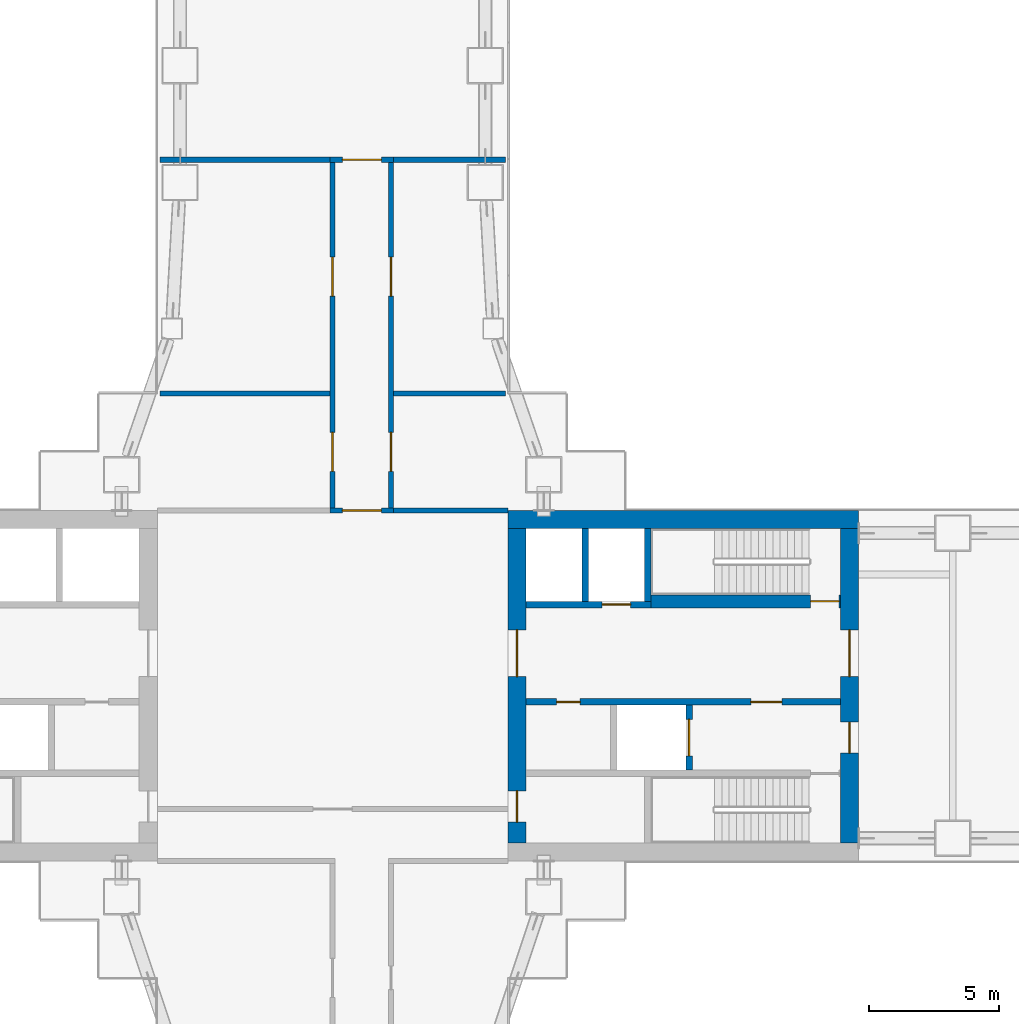
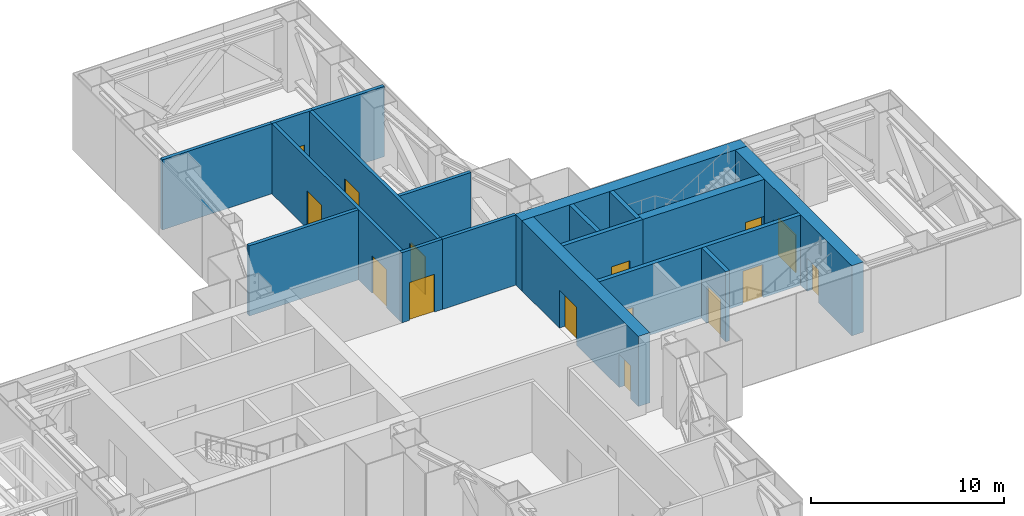
# One storey, part 14 of 23: 18 walls, 15 doors, 15 openings.
"""IFC4 building model written with IfcOpenShell, lengths in metres."""

from ifc_helpers import new_model, si_unit, direction, frame, frame_2d, origin, place, context, subcontext, project, spatial, rectangle, extrude, material, layer, layer_set, type_object, element, fill, save


model = new_model("IFC4")

# Units and contexts
model_context = context("Model", 3, precision=1e-05, world=origin(), true_north=direction((0.0, 1.0)))
body_context = subcontext(model_context, "Body", "Model", "MODEL_VIEW")
ifc_project = project(units=[si_unit("LENGTHUNIT", "METRE"), si_unit("AREAUNIT", "SQUARE_METRE"), si_unit("VOLUMEUNIT", "CUBIC_METRE"), si_unit("PLANEANGLEUNIT", "RADIAN"), si_unit("MASSUNIT", "GRAM", prefix="KILO")], contexts=[model_context])

# Site, building, storey
site_placement = place(None, origin())
site = spatial("IfcSite", under=ifc_project, at=site_placement, CompositionType="ELEMENT")
building_placement = place(site_placement, origin())
building = spatial("IfcBuilding", under=site, at=building_placement, Name="Shamsa Quay Exchange Towers", CompositionType="ELEMENT")
storey_placement = place(building_placement, frame((0.0, 0.0, 77.10009765625)))
storey = spatial("IfcBuildingStorey", under=building, at=storey_placement, Name="L17", CompositionType="ELEMENT", Elevation=77.10009765625)

# Wall
ifc_material_1 = material(Name="Concrete C80/95", Category="concrete")
ifc_layer_1 = layer(ifc_material_1, 0.699951171875)
ifc_layer_set_1 = layer_set([ifc_layer_1], Name="CORE WALL 700 C80/95")
wall_type_1 = type_object("IfcWallType", Name="CORE WALL 700 C80/95", PredefinedType="SHEAR", material=ifc_layer_set_1)
wall_1_placement = place(storey_placement, frame((54.0, 6.39990234375, 0.0), z_axis=(0.0, 0.0, 1.0), x_axis=(-1.0, 0.0, 0.0)))
element("IfcWall", 1, at=wall_1_placement, inside=storey, type_object=wall_type_1, Name="Core wall T2B-L17-PN", PredefinedType="SHEAR", context=body_context, shape_type="SweptSolid", body=[
    extrude(rectangle(XDim=13.5, YDim=0.699951171875, at=frame_2d((6.75, 0.0))), origin(), (0.0, 0.0, 1.0), 4.449951171875),
])

# Wall, openings, doors
wall_2_placement = place(storey_placement, frame((53.64990234375, -6.050048828125, 0.0), z_axis=(0.0, 0.0, 1.0), x_axis=(0.0, 1.0, 0.0)))
wall_2 = element("IfcWall", 2, at=wall_2_placement, inside=storey, type_object=wall_type_1, Name="Core wall T2B-L17-PF", PredefinedType="SHEAR", context=body_context, shape_type="SweptSolid", body=[
    extrude(rectangle(XDim=12.10009765625, YDim=0.699951171875, at=frame_2d((6.050048828125, 0.0))), origin(), (0.0, 0.0, 1.0), 4.449951171875),
])
opening_1_placement = place(wall_2_placement, frame((3.449951171875, 0.0, 0.0)))
opening_1 = element("IfcOpeningElement", 3, at=opening_1_placement, cuts=wall_2, Name="Opening T2B-L17-FD01", PredefinedType="OPENING", context=body_context, shape_type="SweptSolid", body=[
    extrude(rectangle(XDim=1.199951171875, YDim=2.10009765625, at=frame_2d((0.60009765625, 1.050048828125))), frame((0.0, 0.35986328125, 0.0), z_axis=(0.0, -1.0, 0.0), x_axis=(1.0, 0.0, 0.0)), (0.0, 0.0, 1.0), 0.719970703125),
])
opening_2_placement = place(wall_2_placement, frame((6.39990234375, 0.0, 0.0)))
opening_2 = element("IfcOpeningElement", 4, at=opening_2_placement, cuts=wall_2, Name="Opening T2B-L17-LBD02", PredefinedType="OPENING", context=body_context, shape_type="SweptSolid", body=[
    extrude(rectangle(XDim=1.800048828125, YDim=2.39990234375, at=frame_2d((0.89990234375, 1.199951171875))), frame((0.0, 0.35986328125, 0.0), z_axis=(0.0, -1.0, 0.0), x_axis=(1.0, 0.0, 0.0)), (0.0, 0.0, 1.0), 0.719970703125),
])
ifc_material_2 = material(Name="Steel, fire rated", Category="steel")
door_type_1 = type_object("IfcDoorType", Name="FIRE SERVICE LOBBY DOOR 1200", OperationType="SINGLE_SWING_LEFT", PredefinedType="DOOR", material=ifc_material_2)
door_1_placement = place(opening_1_placement, origin())
door_1 = element("IfcDoor", 5, at=door_1_placement, inside=storey, type_object=door_type_1, Name="T2B-L17-FD01", OperationType="SINGLE_SWING_LEFT", OverallHeight=2.10009765625, OverallWidth=1.199951171875, PredefinedType="DOOR", context=body_context, shape_type="SweptSolid", body=[
    extrude(rectangle(XDim=1.199951171875, YDim=2.10009765625, at=frame_2d((0.60009765625, 1.050048828125))), frame((0.0, 0.02490234375, 0.0), z_axis=(0.0, -1.0, 0.0), x_axis=(1.0, 0.0, 0.0)), (0.0, 0.0, 1.0), 0.050048828125),
])
fill(opening_1, door_1)
door_type_2 = type_object("IfcDoorType", Name="LIFT LOBBY DOOR PAIR 1800", OperationType="DOUBLE_DOOR_SINGLE_SWING", PredefinedType="DOOR", material=ifc_material_2)
door_2_placement = place(opening_2_placement, origin())
door_2 = element("IfcDoor", 6, at=door_2_placement, inside=storey, type_object=door_type_2, Name="T2B-L17-LBD02", OperationType="DOUBLE_DOOR_SINGLE_SWING", OverallHeight=2.39990234375, OverallWidth=1.800048828125, PredefinedType="DOOR", context=body_context, shape_type="SweptSolid", body=[
    extrude(rectangle(XDim=1.800048828125, YDim=2.39990234375, at=frame_2d((0.89990234375, 1.199951171875))), frame((0.0, 0.02490234375, 0.0), z_axis=(0.0, -1.0, 0.0), x_axis=(1.0, 0.0, 0.0)), (0.0, 0.0, 1.0), 0.050048828125),
])
fill(opening_2, door_2)

wall_3_placement = place(storey_placement, frame((40.85009765625, -6.050048828125, 0.0), z_axis=(0.0, 0.0, 1.0), x_axis=(0.0, 1.0, 0.0)))
wall_3 = element("IfcWall", 7, at=wall_3_placement, inside=storey, type_object=wall_type_1, Name="Core wall T2B-L17-PB", PredefinedType="SHEAR", context=body_context, shape_type="SweptSolid", body=[
    extrude(rectangle(XDim=12.10009765625, YDim=0.699951171875, at=frame_2d((6.050048828125, 0.0))), origin(), (0.0, 0.0, 1.0), 4.449951171875),
])
opening_3_placement = place(wall_3_placement, frame((0.800048828125, 0.0, 0.0)))
opening_3 = element("IfcOpeningElement", 8, at=opening_3_placement, cuts=wall_3, Name="Opening T2B-L17-RD03", PredefinedType="OPENING", context=body_context, shape_type="SweptSolid", body=[
    extrude(rectangle(XDim=1.199951171875, YDim=2.10009765625, at=frame_2d((0.60009765625, 1.050048828125))), frame((0.0, 0.35986328125, 0.0), z_axis=(0.0, -1.0, 0.0), x_axis=(1.0, 0.0, 0.0)), (0.0, 0.0, 1.0), 0.719970703125),
])
opening_4_placement = place(wall_3_placement, frame((6.39990234375, 0.0, 0.0)))
opening_4 = element("IfcOpeningElement", 9, at=opening_4_placement, cuts=wall_3, Name="Opening T2B-L17-LBD04", PredefinedType="OPENING", context=body_context, shape_type="SweptSolid", body=[
    extrude(rectangle(XDim=1.800048828125, YDim=2.39990234375, at=frame_2d((0.89990234375, 1.199951171875))), frame((0.0, 0.35986328125, 0.0), z_axis=(0.0, -1.0, 0.0), x_axis=(1.0, 0.0, 0.0)), (0.0, 0.0, 1.0), 0.719970703125),
])
door_3_placement = place(opening_4_placement, origin())
door_3 = element("IfcDoor", 10, at=door_3_placement, inside=storey, type_object=door_type_2, Name="T2B-L17-LBD04", OperationType="DOUBLE_DOOR_SINGLE_SWING", OverallHeight=2.39990234375, OverallWidth=1.800048828125, PredefinedType="DOOR", context=body_context, shape_type="SweptSolid", body=[
    extrude(rectangle(XDim=1.800048828125, YDim=2.39990234375, at=frame_2d((0.89990234375, 1.199951171875))), frame((0.0, 0.02490234375, 0.0), z_axis=(0.0, -1.0, 0.0), x_axis=(1.0, 0.0, 0.0)), (0.0, 0.0, 1.0), 0.050048828125),
])
fill(opening_4, door_3)
door_type_3 = type_object("IfcDoorType", Name="RISER ACCESS DOOR 1200", OperationType="SINGLE_SWING_LEFT", PredefinedType="DOOR", material=ifc_material_2)
door_4_placement = place(opening_3_placement, origin())
door_4 = element("IfcDoor", 11, at=door_4_placement, inside=storey, type_object=door_type_3, Name="T2B-L17-RD03", OperationType="SINGLE_SWING_LEFT", OverallHeight=2.10009765625, OverallWidth=1.199951171875, PredefinedType="DOOR", context=body_context, shape_type="SweptSolid", body=[
    extrude(rectangle(XDim=1.199951171875, YDim=2.10009765625, at=frame_2d((0.60009765625, 1.050048828125))), frame((0.0, 0.02490234375, 0.0), z_axis=(0.0, -1.0, 0.0), x_axis=(1.0, 0.0, 0.0)), (0.0, 0.0, 1.0), 0.050048828125),
])
fill(opening_3, door_4)

ifc_material_3 = material(Name="Gypsum board partition on metal studs")
ifc_layer_2 = layer(ifc_material_3, 0.199951171875)
ifc_layer_set_2 = layer_set([ifc_layer_2], Name="Partition 200 mm EI 120")
wall_type_2 = type_object("IfcWallType", Name="Partition 200 mm EI 120", PredefinedType="PARTITIONING", material=ifc_layer_set_2)
wall_4_placement = place(storey_placement, frame((33.75, 6.85009765625, 0.0), z_axis=(0.0, 0.0, 1.0), x_axis=(0.0, 1.0, 0.0)))
wall_4 = element("IfcWall", 12, at=wall_4_placement, inside=storey, type_object=wall_type_2, Name="Partition T2-L17-W04", PredefinedType="PARTITIONING", context=body_context, shape_type="SweptSolid", body=[
    extrude(rectangle(XDim=13.2998046875, YDim=0.199951171875, at=frame_2d((6.64990234375, 0.0))), origin(), (0.0, 0.0, 1.0), 4.449951171875),
])
opening_5_placement = place(wall_4_placement, frame((8.14990234375, 0.0, 0.0)))
opening_5 = element("IfcOpeningElement", 13, at=opening_5_placement, cuts=wall_4, Name="Opening T2-L17-D10", PredefinedType="OPENING", context=body_context, shape_type="SweptSolid", body=[
    extrude(rectangle(XDim=1.5, YDim=2.39990234375, at=frame_2d((0.75, 1.199951171875))), frame((0.0, 0.10986328125, 0.0), z_axis=(0.0, -1.0, 0.0), x_axis=(1.0, 0.0, 0.0)), (0.0, 0.0, 1.0), 0.219970703125),
])
opening_6_placement = place(wall_4_placement, frame((1.39990234375, 0.0, 0.0)))
opening_6 = element("IfcOpeningElement", 14, at=opening_6_placement, cuts=wall_4, Name="Opening T2-L17-D11", PredefinedType="OPENING", context=body_context, shape_type="SweptSolid", body=[
    extrude(rectangle(XDim=1.5, YDim=2.39990234375, at=frame_2d((0.75, 1.199951171875))), frame((0.0, 0.10986328125, 0.0), z_axis=(0.0, -1.0, 0.0), x_axis=(1.0, 0.0, 0.0)), (0.0, 0.0, 1.0), 0.219970703125),
])
ifc_material_4 = material(Name="Timber door leaf in a metal frame", Category="wood")
door_type_4 = type_object("IfcDoorType", Name="Door 1500x2400 FD60 pair", OperationType="NOTDEFINED", PredefinedType="DOOR", material=ifc_material_4)
door_5_placement = place(opening_5_placement, origin())
door_5 = element("IfcDoor", 15, at=door_5_placement, inside=storey, type_object=door_type_4, Name="Door T2-L17-D10", OperationType="DOUBLE_DOOR_SINGLE_SWING", OverallHeight=2.39990234375, OverallWidth=1.5, PredefinedType="DOOR", context=body_context, shape_type="SweptSolid", body=[
    extrude(rectangle(XDim=1.5, YDim=2.39990234375, at=frame_2d((0.75, 1.199951171875))), frame((0.0, 0.02490234375, 0.0), z_axis=(0.0, -1.0, 0.0), x_axis=(1.0, 0.0, 0.0)), (0.0, 0.0, 1.0), 0.050048828125),
])
fill(opening_5, door_5)
door_6_placement = place(opening_6_placement, origin())
door_6 = element("IfcDoor", 16, at=door_6_placement, inside=storey, type_object=door_type_4, Name="Door T2-L17-D11", OperationType="DOUBLE_DOOR_SINGLE_SWING", OverallHeight=2.39990234375, OverallWidth=1.5, PredefinedType="DOOR", context=body_context, shape_type="SweptSolid", body=[
    extrude(rectangle(XDim=1.5, YDim=2.39990234375, at=frame_2d((0.75, 1.199951171875))), frame((0.0, 0.02490234375, 0.0), z_axis=(0.0, -1.0, 0.0), x_axis=(1.0, 0.0, 0.0)), (0.0, 0.0, 1.0), 0.050048828125),
])
fill(opening_6, door_6)

wall_5_placement = place(storey_placement, frame((36.0, 20.14990234375, 0.0), z_axis=(0.0, 0.0, 1.0), x_axis=(0.0, -1.0, 0.0)))
wall_5 = element("IfcWall", 17, at=wall_5_placement, inside=storey, type_object=wall_type_2, Name="Partition T2-L17-W07", PredefinedType="PARTITIONING", context=body_context, shape_type="SweptSolid", body=[
    extrude(rectangle(XDim=13.2998046875, YDim=0.199951171875, at=frame_2d((6.64990234375, 0.0))), origin(), (0.0, 0.0, 1.0), 4.449951171875),
])
opening_7_placement = place(wall_5_placement, frame((10.39990234375, 0.0, 0.0)))
opening_7 = element("IfcOpeningElement", 18, at=opening_7_placement, cuts=wall_5, Name="Opening T2-L17-D04", PredefinedType="OPENING", context=body_context, shape_type="SweptSolid", body=[
    extrude(rectangle(XDim=1.5, YDim=2.39990234375, at=frame_2d((0.75, 1.199951171875))), frame((0.0, 0.10986328125, 0.0), z_axis=(0.0, -1.0, 0.0), x_axis=(1.0, 0.0, 0.0)), (0.0, 0.0, 1.0), 0.219970703125),
])
opening_8_placement = place(wall_5_placement, frame((3.64990234375, 0.0, 0.0)))
opening_8 = element("IfcOpeningElement", 19, at=opening_8_placement, cuts=wall_5, Name="Opening T2-L17-D05", PredefinedType="OPENING", context=body_context, shape_type="SweptSolid", body=[
    extrude(rectangle(XDim=1.5, YDim=2.39990234375, at=frame_2d((0.75, 1.199951171875))), frame((0.0, 0.10986328125, 0.0), z_axis=(0.0, -1.0, 0.0), x_axis=(1.0, 0.0, 0.0)), (0.0, 0.0, 1.0), 0.219970703125),
])
door_7_placement = place(opening_7_placement, origin())
door_7 = element("IfcDoor", 20, at=door_7_placement, inside=storey, type_object=door_type_4, Name="Door T2-L17-D04", OperationType="DOUBLE_DOOR_SINGLE_SWING", OverallHeight=2.39990234375, OverallWidth=1.5, PredefinedType="DOOR", context=body_context, shape_type="SweptSolid", body=[
    extrude(rectangle(XDim=1.5, YDim=2.39990234375, at=frame_2d((0.75, 1.199951171875))), frame((0.0, 0.02490234375, 0.0), z_axis=(0.0, -1.0, 0.0), x_axis=(1.0, 0.0, 0.0)), (0.0, 0.0, 1.0), 0.050048828125),
])
fill(opening_7, door_7)
door_8_placement = place(opening_8_placement, origin())
door_8 = element("IfcDoor", 21, at=door_8_placement, inside=storey, type_object=door_type_4, Name="Door T2-L17-D05", OperationType="DOUBLE_DOOR_SINGLE_SWING", OverallHeight=2.39990234375, OverallWidth=1.5, PredefinedType="DOOR", context=body_context, shape_type="SweptSolid", body=[
    extrude(rectangle(XDim=1.5, YDim=2.39990234375, at=frame_2d((0.75, 1.199951171875))), frame((0.0, 0.02490234375, 0.0), z_axis=(0.0, -1.0, 0.0), x_axis=(1.0, 0.0, 0.0)), (0.0, 0.0, 1.0), 0.050048828125),
])
fill(opening_8, door_8)

# Wall, opening, door
wall_6_placement = place(storey_placement, frame((33.64990234375, 6.75, 0.0)))
wall_6 = element("IfcWall", 22, at=wall_6_placement, inside=storey, type_object=wall_type_2, Name="Partition T2-L17-W09", PredefinedType="PARTITIONING", context=body_context, shape_type="SweptSolid", body=[
    extrude(rectangle(XDim=2.4501953125, YDim=0.199951171875, at=frame_2d((1.22509765625, 0.0))), origin(), (0.0, 0.0, 1.0), 4.449951171875),
])
opening_9_placement = place(wall_6_placement, frame((0.47509765625, 0.0, 0.0)))
opening_9 = element("IfcOpeningElement", 23, at=opening_9_placement, cuts=wall_6, Name="Opening T2-L17-D03", PredefinedType="OPENING", context=body_context, shape_type="SweptSolid", body=[
    extrude(rectangle(XDim=1.5, YDim=2.39990234375, at=frame_2d((0.75, 1.199951171875))), frame((0.0, 0.10986328125, 0.0), z_axis=(0.0, -1.0, 0.0), x_axis=(1.0, 0.0, 0.0)), (0.0, 0.0, 1.0), 0.219970703125),
])
door_9_placement = place(opening_9_placement, origin())
door_9 = element("IfcDoor", 24, at=door_9_placement, inside=storey, type_object=door_type_4, Name="Door T2-L17-D03", OperationType="DOUBLE_DOOR_SINGLE_SWING", OverallHeight=2.39990234375, OverallWidth=1.5, PredefinedType="DOOR", context=body_context, shape_type="SweptSolid", body=[
    extrude(rectangle(XDim=1.5, YDim=2.39990234375, at=frame_2d((0.75, 1.199951171875))), frame((0.0, 0.02490234375, 0.0), z_axis=(0.0, -1.0, 0.0), x_axis=(1.0, 0.0, 0.0)), (0.0, 0.0, 1.0), 0.050048828125),
])
fill(opening_9, door_9)

wall_7_placement = place(storey_placement, frame((33.64990234375, 20.25, 0.0)))
wall_7 = element("IfcWall", 25, at=wall_7_placement, inside=storey, type_object=wall_type_2, Name="Partition T2-L17-W10", PredefinedType="PARTITIONING", context=body_context, shape_type="SweptSolid", body=[
    extrude(rectangle(XDim=2.4501953125, YDim=0.199951171875, at=frame_2d((1.22509765625, 0.0))), origin(), (0.0, 0.0, 1.0), 4.449951171875),
])
opening_10_placement = place(wall_7_placement, frame((0.47509765625, 0.0, 0.0)))
opening_10 = element("IfcOpeningElement", 26, at=opening_10_placement, cuts=wall_7, Name="Opening T2-L17-D06", PredefinedType="OPENING", context=body_context, shape_type="SweptSolid", body=[
    extrude(rectangle(XDim=1.5, YDim=2.39990234375, at=frame_2d((0.75, 1.199951171875))), frame((0.0, 0.10986328125, 0.0), z_axis=(0.0, -1.0, 0.0), x_axis=(1.0, 0.0, 0.0)), (0.0, 0.0, 1.0), 0.219970703125),
])
door_10_placement = place(opening_10_placement, origin())
door_10 = element("IfcDoor", 27, at=door_10_placement, inside=storey, type_object=door_type_4, Name="Door T2-L17-D06", OperationType="DOUBLE_DOOR_SINGLE_SWING", OverallHeight=2.39990234375, OverallWidth=1.5, PredefinedType="DOOR", context=body_context, shape_type="SweptSolid", body=[
    extrude(rectangle(XDim=1.5, YDim=2.39990234375, at=frame_2d((0.75, 1.199951171875))), frame((0.0, 0.02490234375, 0.0), z_axis=(0.0, -1.0, 0.0), x_axis=(1.0, 0.0, 0.0)), (0.0, 0.0, 1.0), 0.050048828125),
])
fill(opening_10, door_10)

# Walls
wall_8_placement = place(storey_placement, frame((40.5, 6.75, 0.0), z_axis=(0.0, 0.0, 1.0), x_axis=(-1.0, 0.0, 0.0)))
element("IfcWall", 28, at=wall_8_placement, inside=storey, type_object=wall_type_2, Name="Partition T2-L17-W12", PredefinedType="PARTITIONING", context=body_context, shape_type="SweptSolid", body=[
    extrude(rectangle(XDim=4.60009765625, YDim=0.199951171875, at=frame_2d((2.300048828125, 0.0))), origin(), (0.0, 0.0, 1.0), 4.449951171875),
])
wall_9_placement = place(storey_placement, frame((33.64990234375, 11.25, 0.0), z_axis=(0.0, 0.0, 1.0), x_axis=(-1.0, 0.0, 0.0)))
element("IfcWall", 29, at=wall_9_placement, inside=storey, type_object=wall_type_2, Name="Partition T2-L17-W13", PredefinedType="PARTITIONING", context=body_context, shape_type="SweptSolid", body=[
    extrude(rectangle(XDim=6.554931640625, YDim=0.199951171875, at=frame_2d((3.27734375, 0.0))), origin(), (0.0, 0.0, 1.0), 4.449951171875),
])
wall_10_placement = place(storey_placement, frame((40.405029296875, 11.25, 0.0), z_axis=(0.0, 0.0, 1.0), x_axis=(-1.0, 0.0, 0.0)))
element("IfcWall", 30, at=wall_10_placement, inside=storey, type_object=wall_type_2, Name="Partition T2-L17-W14", PredefinedType="PARTITIONING", context=body_context, shape_type="SweptSolid", body=[
    extrude(rectangle(XDim=4.304931640625, YDim=0.199951171875, at=frame_2d((2.15234375, 0.0))), origin(), (0.0, 0.0, 1.0), 4.449951171875),
])
wall_11_placement = place(storey_placement, frame((33.85009765625, 20.25, 0.0), z_axis=(0.0, 0.0, 1.0), x_axis=(-1.0, 0.0, 0.0)))
element("IfcWall", 31, at=wall_11_placement, inside=storey, type_object=wall_type_2, Name="Partition T2-L17-W15", PredefinedType="PARTITIONING", context=body_context, shape_type="SweptSolid", body=[
    extrude(rectangle(XDim=6.755126953125, YDim=0.199951171875, at=frame_2d((3.37744140625, 0.0))), origin(), (0.0, 0.0, 1.0), 4.449951171875),
])
wall_12_placement = place(storey_placement, frame((40.405029296875, 20.25, 0.0), z_axis=(0.0, 0.0, 1.0), x_axis=(-1.0, 0.0, 0.0)))
element("IfcWall", 32, at=wall_12_placement, inside=storey, type_object=wall_type_2, Name="Partition T2-L17-W16", PredefinedType="PARTITIONING", context=body_context, shape_type="SweptSolid", body=[
    extrude(rectangle(XDim=4.505126953125, YDim=0.199951171875, at=frame_2d((2.25244140625, 0.0))), origin(), (0.0, 0.0, 1.0), 4.449951171875),
])

# Wall, openings, doors
ifc_material_5 = material(Name="Concrete C50/60", Category="concrete")
ifc_layer_3 = layer(ifc_material_5, 0.25)
ifc_layer_set_3 = layer_set([ifc_layer_3], Name="SHAFT WALL 250 C50/60")
wall_type_3 = type_object("IfcWallType", Name="SHAFT WALL 250 C50/60", PredefinedType="SHEAR", material=ifc_layer_set_3)
wall_13_placement = place(storey_placement, frame((53.300048828125, -0.625, 0.0), z_axis=(0.0, 0.0, 1.0), x_axis=(-1.0, 0.0, 0.0)))
wall_13 = element("IfcWall", 33, at=wall_13_placement, inside=storey, type_object=wall_type_3, Name="Shaft wall T2B-L17-B", PredefinedType="SHEAR", context=body_context, shape_type="SweptSolid", body=[
    extrude(rectangle(XDim=12.10009765625, YDim=0.25, at=frame_2d((6.050048828125, 0.0))), origin(), (0.0, 0.0, 1.0), 4.449951171875),
])
opening_11_placement = place(wall_13_placement, frame((2.25, 0.0, 0.0)))
opening_11 = element("IfcOpeningElement", 34, at=opening_11_placement, cuts=wall_13, Name="Opening T2B-L17-FD06", PredefinedType="OPENING", context=body_context, shape_type="SweptSolid", body=[
    extrude(rectangle(XDim=1.199951171875, YDim=2.10009765625, at=frame_2d((0.60009765625, 1.050048828125))), frame((0.0, 0.135009765625, 0.0), z_axis=(0.0, -1.0, 0.0), x_axis=(1.0, 0.0, 0.0)), (0.0, 0.0, 1.0), 0.27001953125),
])
opening_12_placement = place(wall_13_placement, frame((10.02490234375, 0.0, 0.0)))
opening_12 = element("IfcOpeningElement", 35, at=opening_12_placement, cuts=wall_13, Name="Opening T2B-L17-SV07", PredefinedType="OPENING", context=body_context, shape_type="SweptSolid", body=[
    extrude(rectangle(XDim=0.89990234375, YDim=2.10009765625, at=frame_2d((0.449951171875, 1.050048828125))), frame((0.0, 0.135009765625, 0.0), z_axis=(0.0, -1.0, 0.0), x_axis=(1.0, 0.0, 0.0)), (0.0, 0.0, 1.0), 0.27001953125),
])
door_11_placement = place(opening_11_placement, origin())
door_11 = element("IfcDoor", 36, at=door_11_placement, inside=storey, type_object=door_type_1, Name="T2B-L17-FD06", OperationType="SINGLE_SWING_LEFT", OverallHeight=2.10009765625, OverallWidth=1.199951171875, PredefinedType="DOOR", context=body_context, shape_type="SweptSolid", body=[
    extrude(rectangle(XDim=1.199951171875, YDim=2.10009765625, at=frame_2d((0.60009765625, 1.050048828125))), frame((0.0, 0.02490234375, 0.0), z_axis=(0.0, -1.0, 0.0), x_axis=(1.0, 0.0, 0.0)), (0.0, 0.0, 1.0), 0.050048828125),
])
fill(opening_11, door_11)
door_type_5 = type_object("IfcDoorType", Name="SERVICE ROOM DOOR 900", OperationType="SINGLE_SWING_LEFT", PredefinedType="DOOR", material=ifc_material_2)
door_12_placement = place(opening_12_placement, origin())
door_12 = element("IfcDoor", 37, at=door_12_placement, inside=storey, type_object=door_type_5, Name="T2B-L17-SV07", OperationType="SINGLE_SWING_RIGHT", OverallHeight=2.10009765625, OverallWidth=0.89990234375, PredefinedType="DOOR", context=body_context, shape_type="SweptSolid", body=[
    extrude(rectangle(XDim=0.89990234375, YDim=2.10009765625, at=frame_2d((0.449951171875, 1.050048828125))), frame((0.0, 0.02490234375, 0.0), z_axis=(0.0, -1.0, 0.0), x_axis=(1.0, 0.0, 0.0)), (0.0, 0.0, 1.0), 0.050048828125),
])
fill(opening_12, door_12)

# Wall, opening, door
wall_14_placement = place(storey_placement, frame((47.47509765625, -3.25, 0.0), z_axis=(0.0, 0.0, 1.0), x_axis=(0.0, 1.0, 0.0)))
wall_14 = element("IfcWall", 38, at=wall_14_placement, inside=storey, type_object=wall_type_3, Name="Shaft wall T2B-L17-FFF", PredefinedType="SHEAR", context=body_context, shape_type="SweptSolid", body=[
    extrude(rectangle(XDim=2.5, YDim=0.25, at=frame_2d((1.25, 0.0))), origin(), (0.0, 0.0, 1.0), 4.449951171875),
])
opening_13_placement = place(wall_14_placement, frame((0.550048828125, 0.0, 0.0)))
opening_13 = element("IfcOpeningElement", 39, at=opening_13_placement, cuts=wall_14, Name="Opening T2B-L17-LDG08", PredefinedType="OPENING", context=body_context, shape_type="SweptSolid", body=[
    extrude(rectangle(XDim=1.39990234375, YDim=2.39990234375, at=frame_2d((0.699951171875, 1.199951171875))), frame((0.0, 0.135009765625, 0.0), z_axis=(0.0, -1.0, 0.0), x_axis=(1.0, 0.0, 0.0)), (0.0, 0.0, 1.0), 0.27001953125),
])
door_type_6 = type_object("IfcDoorType", Name="GOODS LIFT LANDING DOOR 1400", OperationType="SLIDING_TO_LEFT", PredefinedType="DOOR", material=ifc_material_2)
door_13_placement = place(opening_13_placement, origin())
door_13 = element("IfcDoor", 40, at=door_13_placement, inside=storey, type_object=door_type_6, Name="T2B-L17-LDG08", OperationType="SLIDING_TO_LEFT", OverallHeight=2.39990234375, OverallWidth=1.39990234375, PredefinedType="DOOR", context=body_context, shape_type="SweptSolid", body=[
    extrude(rectangle(XDim=1.39990234375, YDim=2.39990234375, at=frame_2d((0.699951171875, 1.199951171875))), frame((0.0, 0.02490234375, 0.0), z_axis=(0.0, -1.0, 0.0), x_axis=(1.0, 0.0, 0.0)), (0.0, 0.0, 1.0), 0.050048828125),
])
fill(opening_13, door_13)

wall_15_placement = place(storey_placement, frame((46.0, 3.125, 0.0), z_axis=(0.0, 0.0, 1.0), x_axis=(-1.0, 0.0, 0.0)))
wall_15 = element("IfcWall", 41, at=wall_15_placement, inside=storey, type_object=wall_type_3, Name="Shaft wall T2B-L17-N2", PredefinedType="SHEAR", context=body_context, shape_type="SweptSolid", body=[
    extrude(rectangle(XDim=4.800048828125, YDim=0.25, at=frame_2d((2.39990234375, 0.0))), origin(), (0.0, 0.0, 1.0), 4.449951171875),
])
opening_14_placement = place(wall_15_placement, frame((0.77490234375, 0.0, 0.0)))
opening_14 = element("IfcOpeningElement", 42, at=opening_14_placement, cuts=wall_15, Name="Opening T2B-L17-LD10", PredefinedType="OPENING", context=body_context, shape_type="SweptSolid", body=[
    extrude(rectangle(XDim=1.10009765625, YDim=2.10009765625, at=frame_2d((0.550048828125, 1.050048828125))), frame((0.0, 0.135009765625, 0.0), z_axis=(0.0, -1.0, 0.0), x_axis=(1.0, 0.0, 0.0)), (0.0, 0.0, 1.0), 0.27001953125),
])
door_type_7 = type_object("IfcDoorType", Name="LANDING DOOR 1100", OperationType="SLIDING_TO_LEFT", PredefinedType="DOOR", material=ifc_material_2)
door_14_placement = place(opening_14_placement, origin())
door_14 = element("IfcDoor", 43, at=door_14_placement, inside=storey, type_object=door_type_7, Name="T2B-L17-LD10", OperationType="SLIDING_TO_LEFT", OverallHeight=2.10009765625, OverallWidth=1.10009765625, PredefinedType="DOOR", context=body_context, shape_type="SweptSolid", body=[
    extrude(rectangle(XDim=1.10009765625, YDim=2.10009765625, at=frame_2d((0.550048828125, 1.050048828125))), frame((0.0, 0.02490234375, 0.0), z_axis=(0.0, -1.0, 0.0), x_axis=(1.0, 0.0, 0.0)), (0.0, 0.0, 1.0), 0.050048828125),
])
fill(opening_14, door_14)

# Walls
for number, where, z_axis, x_axis, name in (
    (44, (45.875, 3.25, 0.0), (0.0, 0.0, 1.0), (0.0, 1.0, 0.0), "Shaft wall T2B-L17-STF2"),
    (45, (43.47509765625, 3.25, 0.0), (0.0, 0.0, 1.0), (0.0, 1.0, 0.0), "Shaft wall T2B-L17-D0"),
):
    element("IfcWall", number, at=place(storey_placement, frame(where, z_axis=z_axis, x_axis=x_axis)), inside=storey, type_object=wall_type_3, Name=name, PredefinedType="SHEAR", context=body_context, shape_type="SweptSolid", body=[
        extrude(rectangle(XDim=2.800048828125, YDim=0.25, at=frame_2d((1.39990234375, 0.0))), origin(), (0.0, 0.0, 1.0), 4.449951171875),
    ])

# Wall, opening, door
ifc_layer_4 = layer(ifc_material_5, 0.5)
ifc_layer_set_4 = layer_set([ifc_layer_4], Name="SHAFT WALL 500 C50/60")
wall_type_4 = type_object("IfcWallType", Name="SHAFT WALL 500 C50/60", PredefinedType="SHEAR", material=ifc_layer_set_4)
wall_16_placement = place(storey_placement, frame((46.0, 3.25, 0.0)))
wall_16 = element("IfcWall", 46, at=wall_16_placement, inside=storey, type_object=wall_type_4, Name="Shaft wall T2B-L17-N", PredefinedType="SHEAR", context=body_context, shape_type="SweptSolid", body=[
    extrude(rectangle(XDim=7.300048828125, YDim=0.5, at=frame_2d((3.64990234375, 0.0))), origin(), (0.0, 0.0, 1.0), 4.449951171875),
])
opening_15_placement = place(wall_16_placement, frame((6.14990234375, 0.0, 0.0)))
opening_15 = element("IfcOpeningElement", 47, at=opening_15_placement, cuts=wall_16, Name="Opening T2B-L17-SD09", PredefinedType="OPENING", context=body_context, shape_type="SweptSolid", body=[
    extrude(rectangle(XDim=1.10009765625, YDim=2.10009765625, at=frame_2d((0.550048828125, 1.050048828125))), frame((0.0, 0.260009765625, 0.0), z_axis=(0.0, -1.0, 0.0), x_axis=(1.0, 0.0, 0.0)), (0.0, 0.0, 1.0), 0.52001953125),
])
door_type_8 = type_object("IfcDoorType", Name="STAIR DOOR 1100", OperationType="SINGLE_SWING_LEFT", PredefinedType="DOOR", material=ifc_material_2)
door_15_placement = place(opening_15_placement, origin())
door_15 = element("IfcDoor", 48, at=door_15_placement, inside=storey, type_object=door_type_8, Name="T2B-L17-SD09", OperationType="SINGLE_SWING_RIGHT", OverallHeight=2.10009765625, OverallWidth=1.10009765625, PredefinedType="DOOR", context=body_context, shape_type="SweptSolid", body=[
    extrude(rectangle(XDim=1.10009765625, YDim=2.10009765625, at=frame_2d((0.550048828125, 1.050048828125))), frame((0.0, 0.02490234375, 0.0), z_axis=(0.0, -1.0, 0.0), x_axis=(1.0, 0.0, 0.0)), (0.0, 0.0, 1.0), 0.050048828125),
])
fill(opening_15, door_15)

save(model, "model.ifc")
